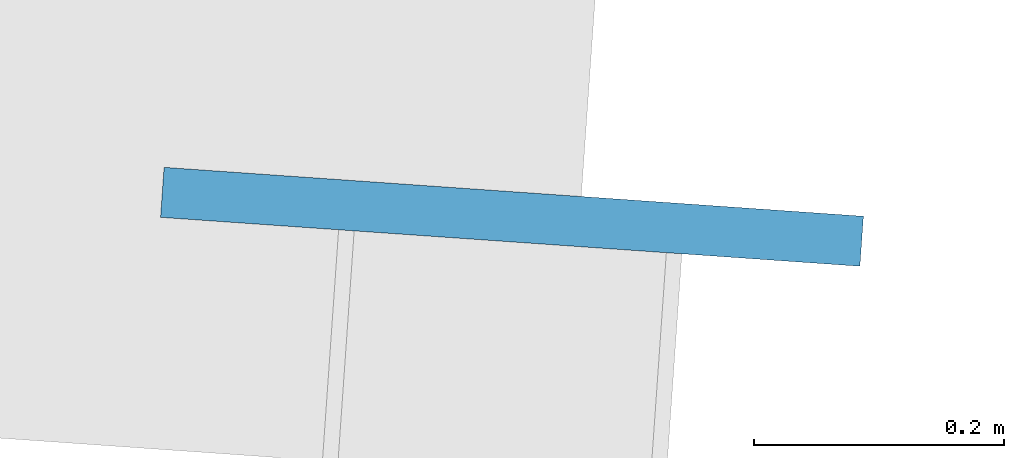
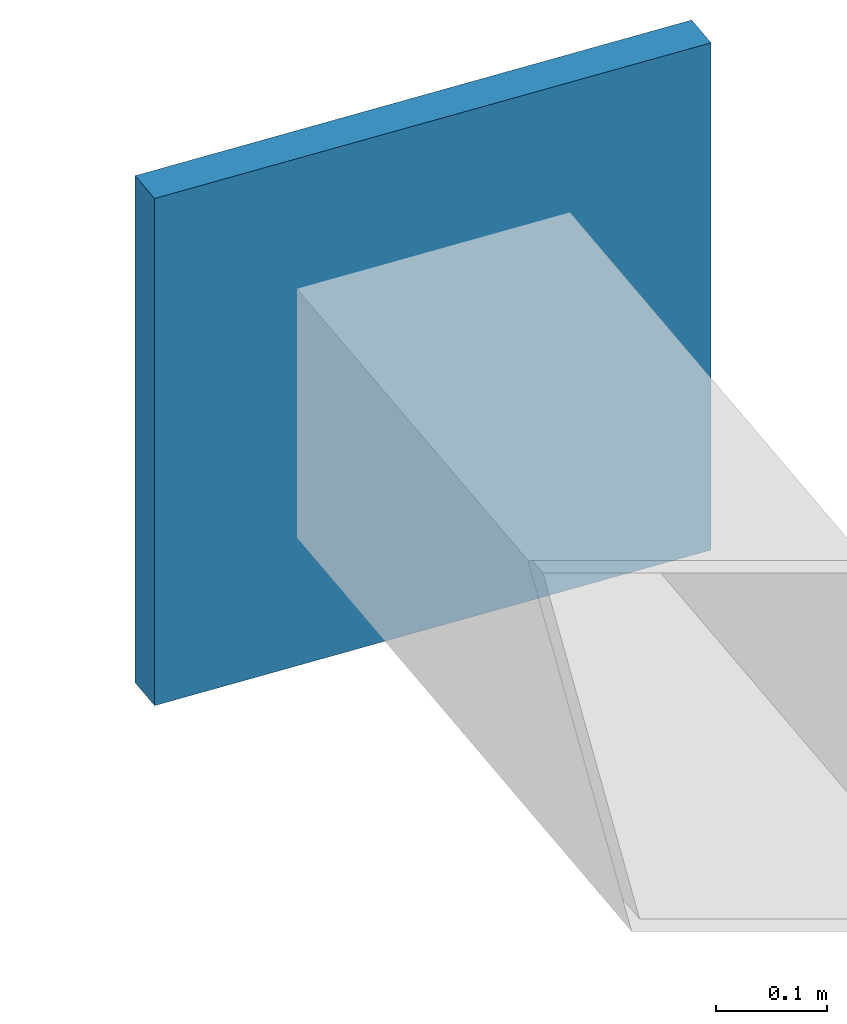
# One storey, part 40 of 47: 1 plate.
"""IFC4 building model written with IfcOpenShell, lengths in metres."""

from ifc_helpers import new_model, si_unit, direction, frame, origin, origin_2d, place, context, subcontext, project, spatial, rectangle, extrude, source, transform, mapped, material, layer, layer_set, type_object, element, save


model = new_model("IFC4")

# Units and contexts
model_context = context("Model", 3, precision=1e-05, world=origin(), true_north=direction((0.0, 1.0)))
body_context = subcontext(model_context, "Body", "Model", "MODEL_VIEW")
ifc_project = project(units=[si_unit("LENGTHUNIT", "METRE"), si_unit("AREAUNIT", "SQUARE_METRE"), si_unit("VOLUMEUNIT", "CUBIC_METRE"), si_unit("PLANEANGLEUNIT", "RADIAN"), si_unit("MASSUNIT", "GRAM", prefix="KILO")], contexts=[model_context])

# Site, building, storey
site_placement = place(None, origin())
site = spatial("IfcSite", under=ifc_project, at=site_placement, CompositionType="ELEMENT")
building_placement = place(site_placement, origin())
building = spatial("IfcBuilding", under=site, at=building_placement, Name="Taldren Reach Tower", CompositionType="ELEMENT")
storey_placement = place(building_placement, frame((0.0, 0.0, 142.449951171875)))
storey = spatial("IfcBuildingStorey", under=building, at=storey_placement, Name="L43", CompositionType="ELEMENT", Elevation=142.449951171875)

# Plate
ifc_material = material(Name="Steel Gr 450 (C450L0)", Category="steel")
ifc_layer = layer(ifc_material, 0.0400390625)
ifc_layer_set = layer_set([ifc_layer], Name="Steel Gr 450 (C450L0)")
plate_type = type_object("IfcPlateType", Name="PL-GUSSET-40", PredefinedType="SHEET", material=ifc_layer_set)
shared_shape = source(origin(), body_context, "Body", "SweptSolid", [
    extrude(rectangle(XDim=0.56005859375, YDim=0.0400390625, at=origin_2d()), origin(), (0.0, 0.0, 1.0), 0.56005859375),
])
plate_placement = place(storey_placement, frame((58.544677734375, 36.40771484375, 2.3701171875), z_axis=(0.0, 0.0, 1.0), x_axis=(0.99756405026, -0.069756473744, 0.0)))
element("IfcPlate", 1, at=plate_placement, inside=storey, type_object=plate_type, Name="Exoskeleton star-node gusset plate B3-N6 L43", PredefinedType="SHEET", context=body_context, shape_type="MappedRepresentation", body=[
    mapped(shared_shape, transform((0.0, 0.0, 0.0), scale=1.0)),
])

save(model, "model.ifc")
